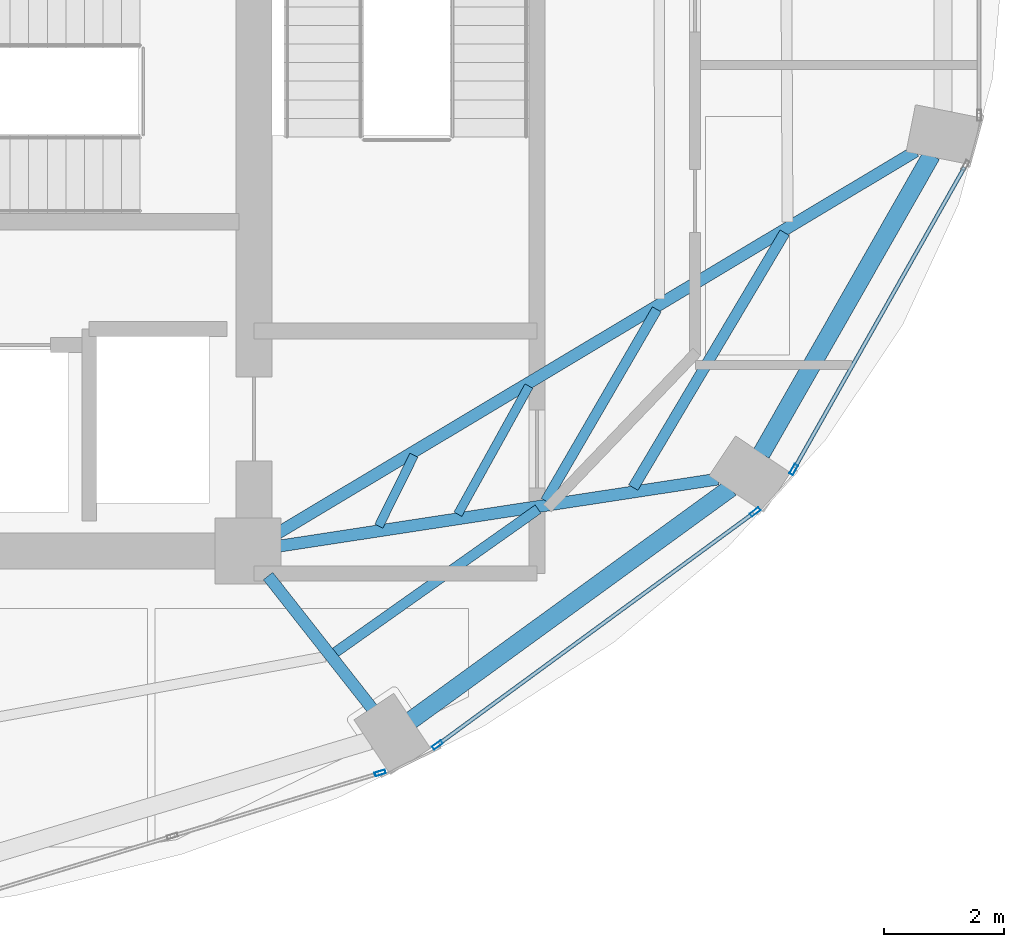
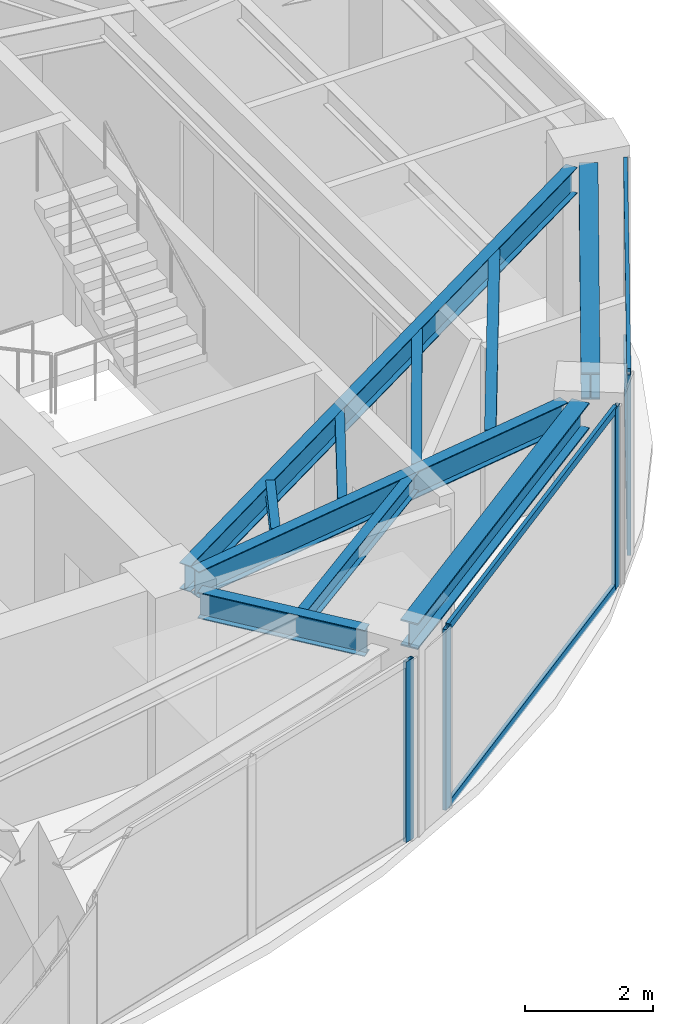
# One storey, part 12 of 22: 10 beams, 8 members, 3 elements without a shape of their own.
"""IFC4 building model written with IfcOpenShell, lengths in metres."""

from ifc_helpers import new_model, si_unit, direction, frame, origin, origin_2d, place, context, subcontext, project, spatial, hollow_rectangle, i_section, extrude, material, layer, layer_set, material_profile, profile_set, type_object, element, aggregate, save


model = new_model("IFC4")

# Units and contexts
model_context = context("Model", 3, precision=1e-05, world=origin(), true_north=direction((0.0, 1.0)))
body_context = subcontext(model_context, "Body", "Model", "MODEL_VIEW")
ifc_project = project(units=[si_unit("LENGTHUNIT", "METRE"), si_unit("AREAUNIT", "SQUARE_METRE"), si_unit("VOLUMEUNIT", "CUBIC_METRE"), si_unit("PLANEANGLEUNIT", "RADIAN"), si_unit("MASSUNIT", "GRAM", prefix="KILO")], contexts=[model_context])

# Site, building, storey
site_placement = place(None, origin())
site = spatial("IfcSite", under=ifc_project, at=site_placement, CompositionType="ELEMENT")
building_placement = place(site_placement, origin())
building = spatial("IfcBuilding", under=site, at=building_placement, Name="Lazwardi Medical Tower", CompositionType="ELEMENT")
storey_placement = place(building_placement, frame((0.0, 0.0, 224.01611328125)))
storey = spatial("IfcBuildingStorey", under=building, at=storey_placement, Name="L58", CompositionType="ELEMENT", Elevation=224.01611328125)

# Beams
ifc_material_1 = material(Name="Steel S355", Category="steel")
ifc_material_profile_1 = material_profile(ifc_material_1, i_section(OverallWidth=0.300048828125, OverallDepth=0.5, WebThickness=0.014404296875, FlangeThickness=0.028076171875, at=origin_2d()), Name="HEB 500")
ifc_profile_set_1 = profile_set([ifc_material_profile_1], Name="Steel S355")
beam_type_1 = type_object("IfcBeamType", Name="BM-RB-Z4", PredefinedType="BEAM", material=ifc_profile_set_1)
beam_1_placement = place(storey_placement, frame((48.31591796875, 17.5751953125, 3.197998046875), z_axis=(0.808889916254, 0.587960120571, 0.0), x_axis=(-0.587960120571, 0.808889916254, 0.0)))
element("IfcBeam", 1, at=beam_1_placement, inside=storey, type_object=beam_type_1, Name="Ring beam RB-05 B02 L58", PredefinedType="BEAM", context=body_context, shape_type="SweptSolid", body=[
    extrude(i_section(OverallWidth=0.300048828125, OverallDepth=0.5, WebThickness=0.014404296875, FlangeThickness=0.028076171875, at=origin_2d()), origin(), (0.0, 0.0, 1.0), 6.587158203125),
])
beam_2_placement = place(storey_placement, frame((54.15283203125, 22.016357421875, 3.197998046875), z_axis=(0.495125273299, 0.868821594886, 0.0), x_axis=(-0.868821594886, 0.495125273299, 0.0)))
element("IfcBeam", 2, at=beam_2_placement, inside=storey, type_object=beam_type_1, Name="Ring beam RB-05 B03 L58", PredefinedType="BEAM", context=body_context, shape_type="SweptSolid", body=[
    extrude(i_section(OverallWidth=0.300048828125, OverallDepth=0.5, WebThickness=0.014404296875, FlangeThickness=0.028076171875, at=origin_2d()), origin(), (0.0, 0.0, 1.0), 5.734130859375),
])
ifc_material_profile_2 = material_profile(ifc_material_1, i_section(OverallWidth=0.199951171875, OverallDepth=0.5, WebThickness=0.01025390625, FlangeThickness=0.01611328125, at=origin_2d()), Name="IPE 500")
ifc_profile_set_2 = profile_set([ifc_material_profile_2], Name="Steel S355")
beam_type_2 = type_object("IfcBeamType", Name="BM-RG-W3", PredefinedType="BEAM", material=ifc_profile_set_2)
beam_3_placement = place(storey_placement, frame((47.669677734375, 17.7666015625, 3.197998046875), z_axis=(-0.617890508382, 0.786264153864, 0.0), x_axis=(-0.786264153864, -0.617890508382, 0.0)))
element("IfcBeam", 3, at=beam_3_placement, inside=storey, type_object=beam_type_2, Name="Radial girder RG-04 R02 L58", PredefinedType="BEAM", context=body_context, shape_type="SweptSolid", body=[
    extrude(i_section(OverallWidth=0.199951171875, OverallDepth=0.5, WebThickness=0.01025390625, FlangeThickness=0.01611328125, at=origin_2d()), origin(), (0.0, 0.0, 1.0), 2.814453125),
])
beam_4_placement = place(storey_placement, frame((53.430908203125, 21.5966796875, 3.197998046875), z_axis=(-0.988522137285, -0.151076087115, 0.0), x_axis=(0.151076087115, -0.988522137285, 0.0)))
element("IfcBeam", 4, at=beam_4_placement, inside=storey, type_object=beam_type_2, Name="Radial girder RG-04 R03 L58", PredefinedType="BEAM", context=body_context, shape_type="SweptSolid", body=[
    extrude(i_section(OverallWidth=0.199951171875, OverallDepth=0.5, WebThickness=0.01025390625, FlangeThickness=0.01611328125, at=origin_2d()), origin(), (0.0, 0.0, 1.0), 7.38671875),
])
beam_5_placement = place(storey_placement, frame((56.72607421875, 27.062255859375, 3.197998046875), z_axis=(-0.857944804603, -0.513741873176, 0.0), x_axis=(0.513741873176, -0.857944804603, 0.0)))
element("IfcBeam", 5, at=beam_5_placement, inside=storey, type_object=beam_type_2, Name="Radial girder RG-04 R04 L58", PredefinedType="BEAM", context=body_context, shape_type="SweptSolid", body=[
    extrude(i_section(OverallWidth=0.199951171875, OverallDepth=0.5, WebThickness=0.01025390625, FlangeThickness=0.01611328125, at=origin_2d()), origin(), (0.0, 0.0, 1.0), 12.43310546875),
])
ifc_material_profile_3 = material_profile(ifc_material_1, i_section(OverallWidth=0.179931640625, OverallDepth=0.39990234375, WebThickness=0.008544921875, FlangeThickness=0.013427734375, at=origin_2d()), Name="IPE 400")
ifc_profile_set_3 = profile_set([ifc_material_profile_3], Name="Steel S355")
beam_type_3 = type_object("IfcBeamType", Name="BM-SJ-01", PredefinedType="JOIST", material=ifc_profile_set_3)
beam_6_placement = place(storey_placement, frame((52.01904296875, 21.455078125, 3.247802734375), z_axis=(0.510967866251, 0.859599813668, 0.0), x_axis=(-0.859599813668, 0.510967866251, 0.0)))
element("IfcBeam", 6, at=beam_6_placement, inside=storey, type_object=beam_type_3, Name="Secondary joist SJ-01 R1 B03 L58", PredefinedType="JOIST", context=body_context, shape_type="SweptSolid", body=[
    extrude(i_section(OverallWidth=0.179931640625, OverallDepth=0.39990234375, WebThickness=0.008544921875, FlangeThickness=0.013427734375, at=origin_2d()), origin(), (0.0, 0.0, 1.0), 4.94189453125),
])
ifc_material_profile_4 = material_profile(ifc_material_1, i_section(OverallWidth=0.169921875, OverallDepth=0.360107421875, WebThickness=0.008056640625, FlangeThickness=0.0126953125, at=origin_2d()), Name="IPE 360")
ifc_profile_set_4 = profile_set([ifc_material_profile_4], Name="Steel S355")
beam_type_4 = type_object("IfcBeamType", Name="BM-SJ-02", PredefinedType="JOIST", material=ifc_profile_set_4)
beam_7_placement = place(storey_placement, frame((47.051513671875, 18.70654296875, 3.267822265625), z_axis=(0.816711190406, 0.577046645832, 0.0), x_axis=(-0.577046645832, 0.816711190406, 0.0)))
element("IfcBeam", 7, at=beam_7_placement, inside=storey, type_object=beam_type_4, Name="Secondary joist SJ-02 R2 B02 L58", PredefinedType="JOIST", context=body_context, shape_type="SweptSolid", body=[
    extrude(i_section(OverallWidth=0.169921875, OverallDepth=0.360107421875, WebThickness=0.008056640625, FlangeThickness=0.0126953125, at=origin_2d()), origin(), (0.0, 0.0, 1.0), 4.139892578125),
])
beam_8_placement = place(storey_placement, frame((50.5576171875, 21.232421875, 3.267822265625), z_axis=(0.50218018565, 0.864763008657, 0.0), x_axis=(-0.864763008657, 0.50218018565, 0.0)))
element("IfcBeam", 8, at=beam_8_placement, inside=storey, type_object=beam_type_4, Name="Secondary joist SJ-02 R2 B03 L58", PredefinedType="JOIST", context=body_context, shape_type="SweptSolid", body=[
    extrude(i_section(OverallWidth=0.169921875, OverallDepth=0.360107421875, WebThickness=0.008056640625, FlangeThickness=0.0126953125, at=origin_2d()), origin(), (0.0, 0.0, 1.0), 3.69189453125),
])
ifc_material_profile_5 = material_profile(ifc_material_1, i_section(OverallWidth=0.14990234375, OverallDepth=0.300048828125, WebThickness=0.007080078125, FlangeThickness=0.0107421875, at=origin_2d()), Name="IPE 300")
ifc_profile_set_5 = profile_set([ifc_material_profile_5], Name="Steel S355")
beam_type_5 = type_object("IfcBeamType", Name="BM-SJ-03", PredefinedType="JOIST", material=ifc_profile_set_5)
beam_9_placement = place(storey_placement, frame((49.095703125, 21.01025390625, 3.2978515625), z_axis=(0.484751625998, 0.874651851363, 0.0), x_axis=(-0.874651851363, 0.484751625998, 0.0)))
element("IfcBeam", 9, at=beam_9_placement, inside=storey, type_object=beam_type_5, Name="Secondary joist SJ-03 R3 B03 L58", PredefinedType="JOIST", context=body_context, shape_type="SweptSolid", body=[
    extrude(i_section(OverallWidth=0.14990234375, OverallDepth=0.300048828125, WebThickness=0.007080078125, FlangeThickness=0.0107421875, at=origin_2d()), origin(), (0.0, 0.0, 1.0), 2.442626953125),
])
beam_10_placement = place(storey_placement, frame((47.777587890625, 20.811279296875, 3.2978515625), z_axis=(0.443587297772, 0.89623116954, 0.0), x_axis=(-0.89623116954, 0.443587297772, 0.0)))
element("IfcBeam", 10, at=beam_10_placement, inside=storey, type_object=beam_type_5, Name="Secondary joist SJ-03 R4 B03 L58", PredefinedType="JOIST", context=body_context, shape_type="SweptSolid", body=[
    extrude(i_section(OverallWidth=0.14990234375, OverallDepth=0.300048828125, WebThickness=0.007080078125, FlangeThickness=0.0107421875, at=origin_2d()), origin(), (0.0, 0.0, 1.0), 1.32080078125),
])

# Curtain wall, member
ifc_material_2 = material(Name="Anodised bronze aluminium and solar control glazing", Category="aluminium")
ifc_layer = layer(ifc_material_2, 0.18994140625)
ifc_layer_set = layer_set([ifc_layer], Name="Anodised bronze aluminium and solar control glazing")
curtain_wall_type = type_object("IfcCurtainWallType", Name="CW-SYS-04", PredefinedType="NOTDEFINED", material=ifc_layer_set)
curtain_wall_1_placement = place(storey_placement, origin())
curtain_wall_1 = element("IfcCurtainWall", 11, at=curtain_wall_1_placement, inside=storey, type_object=curtain_wall_type, Name="L58 Unitised bronze curtain wall CW-04", PredefinedType="NOTDEFINED")
ifc_material_3 = material(Name="Anodised bronze aluminium", Category="aluminium")
ifc_material_profile_6 = material_profile(ifc_material_3, hollow_rectangle(XDim=0.06494140625, YDim=0.179931640625, WallThickness=0.00390625, at=origin_2d()), Name="ALU-MULLION 180x65x4")
ifc_profile_set_6 = profile_set([ifc_material_profile_6], Name="Anodised bronze aluminium")
member_type_1 = type_object("IfcMemberType", Name="CW-MUL-03", PredefinedType="MULLION", material=ifc_profile_set_6)
member_1_placement = place(storey_placement, frame((47.7998046875, 16.696533203125, 0.0), z_axis=(0.0, 0.0, 1.0), x_axis=(-0.290581889515, 0.956850126972, 0.0)))
member_1 = element("IfcMember", 12, at=member_1_placement, type_object=member_type_1, Name="CW-04 mullion 3", PredefinedType="MULLION", context=body_context, shape_type="SweptSolid", body=[
    extrude(hollow_rectangle(XDim=0.06494140625, YDim=0.179931640625, WallThickness=0.00390625, at=origin_2d()), origin(), (0.0, 0.0, 1.0), 3.447998046875),
])
aggregate(curtain_wall_1, [member_1])

# Curtain wall, members
curtain_wall_2_placement = place(storey_placement, origin())
curtain_wall_2 = element("IfcCurtainWall", 13, at=curtain_wall_2_placement, inside=storey, type_object=curtain_wall_type, Name="L58 Unitised bronze curtain wall CW-04", PredefinedType="NOTDEFINED")
member_2_placement = place(storey_placement, frame((48.75537109375, 17.1650390625, 0.0), z_axis=(0.0, 0.0, 1.0), x_axis=(-0.591268230971, 0.806474971121, 0.0)))
member_2 = element("IfcMember", 14, at=member_2_placement, type_object=member_type_1, Name="CW-04 mullion 1", PredefinedType="MULLION", context=body_context, shape_type="SweptSolid", body=[
    extrude(hollow_rectangle(XDim=0.06494140625, YDim=0.179931640625, WallThickness=0.00390625, at=origin_2d()), origin(), (0.0, 0.0, 1.0), 3.447998046875),
])
member_3_placement = place(storey_placement, frame((54.052001953125, 21.04833984375, 0.0), z_axis=(0.0, 0.0, 1.0), x_axis=(-0.591268230971, 0.806474971121, 0.0)))
member_3 = element("IfcMember", 15, at=member_3_placement, type_object=member_type_1, Name="CW-04 mullion 2", PredefinedType="MULLION", context=body_context, shape_type="SweptSolid", body=[
    extrude(hollow_rectangle(XDim=0.06494140625, YDim=0.179931640625, WallThickness=0.00390625, at=origin_2d()), origin(), (0.0, 0.0, 1.0), 3.447998046875),
])

# Curtain wall, member
curtain_wall_3_placement = place(storey_placement, origin())
curtain_wall_3 = element("IfcCurtainWall", 16, at=curtain_wall_3_placement, inside=storey, type_object=curtain_wall_type, Name="L58 Unitised bronze curtain wall CW-04", PredefinedType="NOTDEFINED")
member_4_placement = place(storey_placement, frame((54.6943359375, 21.75439453125, 0.0), z_axis=(0.0, 0.0, 1.0), x_axis=(-0.870651436011, 0.491900474661, 0.0)))
member_4 = element("IfcMember", 17, at=member_4_placement, type_object=member_type_1, Name="CW-04 mullion 1", PredefinedType="MULLION", context=body_context, shape_type="SweptSolid", body=[
    extrude(hollow_rectangle(XDim=0.06494140625, YDim=0.179931640625, WallThickness=0.00390625, at=origin_2d()), origin(), (0.0, 0.0, 1.0), 3.447998046875),
])

# Member
ifc_material_profile_7 = material_profile(ifc_material_3, hollow_rectangle(XDim=0.06494140625, YDim=0.139892578125, WallThickness=0.00341796875, at=origin_2d()), Name="ALU-TRANSOM 140x65x3.5")
ifc_profile_set_7 = profile_set([ifc_material_profile_7], Name="Anodised bronze aluminium")
member_type_2 = type_object("IfcMemberType", Name="CW-TRN-03", PredefinedType="USERDEFINED", material=ifc_profile_set_7)
member_5_placement = place(storey_placement, frame((48.781494140625, 17.184326171875, 0.032470703125), z_axis=(0.80648973359, 0.591248094808, 0.0), x_axis=(-0.591248094808, 0.80648973359, 0.0)))
member_5 = element("IfcMember", 18, at=member_5_placement, type_object=member_type_2, Name="CW-04 transom 1.1", ObjectType="TRANSOM", PredefinedType="USERDEFINED", context=body_context, shape_type="SweptSolid", body=[
    extrude(hollow_rectangle(XDim=0.06494140625, YDim=0.139892578125, WallThickness=0.00341796875, at=origin_2d()), origin(), (0.0, 0.0, 1.0), 6.502685546875),
])

member_6_placement = place(storey_placement, frame((48.781494140625, 17.184326171875, 3.415283203125), z_axis=(0.80648973359, 0.591248094808, 0.0), x_axis=(-0.591248094808, 0.80648973359, 0.0)))
member_6 = element("IfcMember", 19, at=member_6_placement, type_object=member_type_2, Name="CW-04 transom 1.2", ObjectType="TRANSOM", PredefinedType="USERDEFINED", context=body_context, shape_type="SweptSolid", body=[
    extrude(hollow_rectangle(XDim=0.06494140625, YDim=0.139892578125, WallThickness=0.00341796875, at=origin_2d()), origin(), (0.0, 0.0, 1.0), 6.502685546875),
])

aggregate(curtain_wall_2, [member_2, member_3, member_5, member_6])

member_7_placement = place(storey_placement, frame((54.71044921875, 21.78271484375, 0.032470703125), z_axis=(0.491879719484, 0.87066316194, 0.0), x_axis=(-0.87066316194, 0.491879719484, 0.0)))
member_7 = element("IfcMember", 20, at=member_7_placement, type_object=member_type_2, Name="CW-04 transom 1.1", ObjectType="TRANSOM", PredefinedType="USERDEFINED", context=body_context, shape_type="SweptSolid", body=[
    extrude(hollow_rectangle(XDim=0.06494140625, YDim=0.139892578125, WallThickness=0.00341796875, at=origin_2d()), origin(), (0.0, 0.0, 1.0), 5.755126953125),
])

member_8_placement = place(storey_placement, frame((54.71044921875, 21.78271484375, 3.415283203125), z_axis=(0.491879719484, 0.87066316194, 0.0), x_axis=(-0.87066316194, 0.491879719484, 0.0)))
member_8 = element("IfcMember", 21, at=member_8_placement, type_object=member_type_2, Name="CW-04 transom 1.2", ObjectType="TRANSOM", PredefinedType="USERDEFINED", context=body_context, shape_type="SweptSolid", body=[
    extrude(hollow_rectangle(XDim=0.06494140625, YDim=0.139892578125, WallThickness=0.00341796875, at=origin_2d()), origin(), (0.0, 0.0, 1.0), 5.755126953125),
])

aggregate(curtain_wall_3, [member_4, member_7, member_8])

save(model, "model.ifc")
